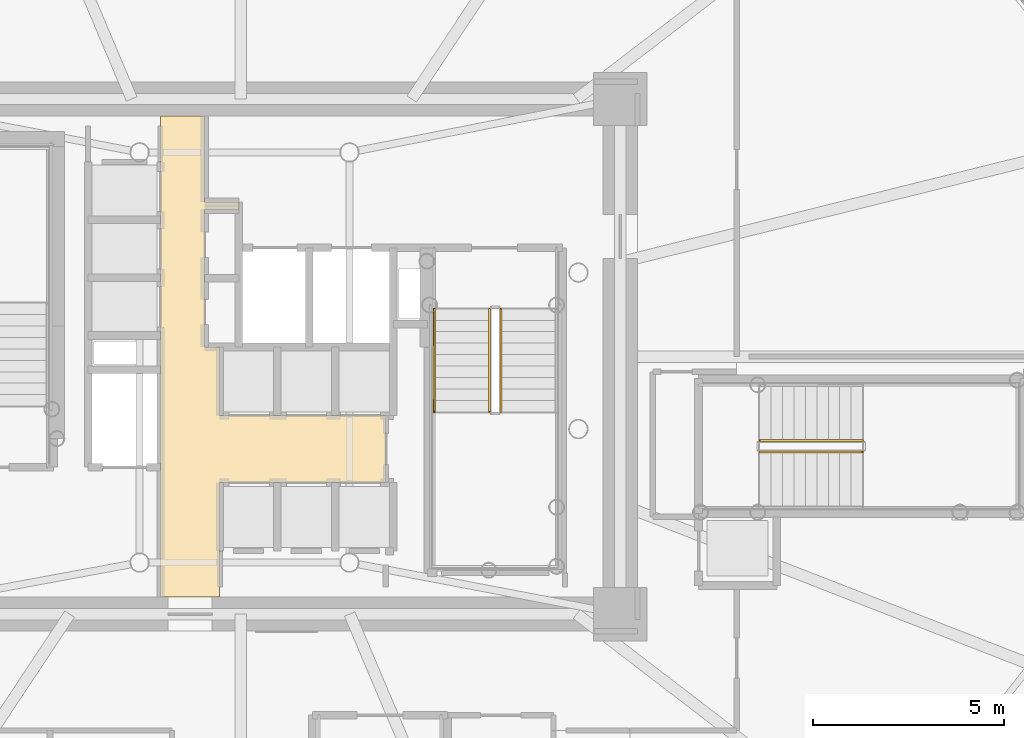
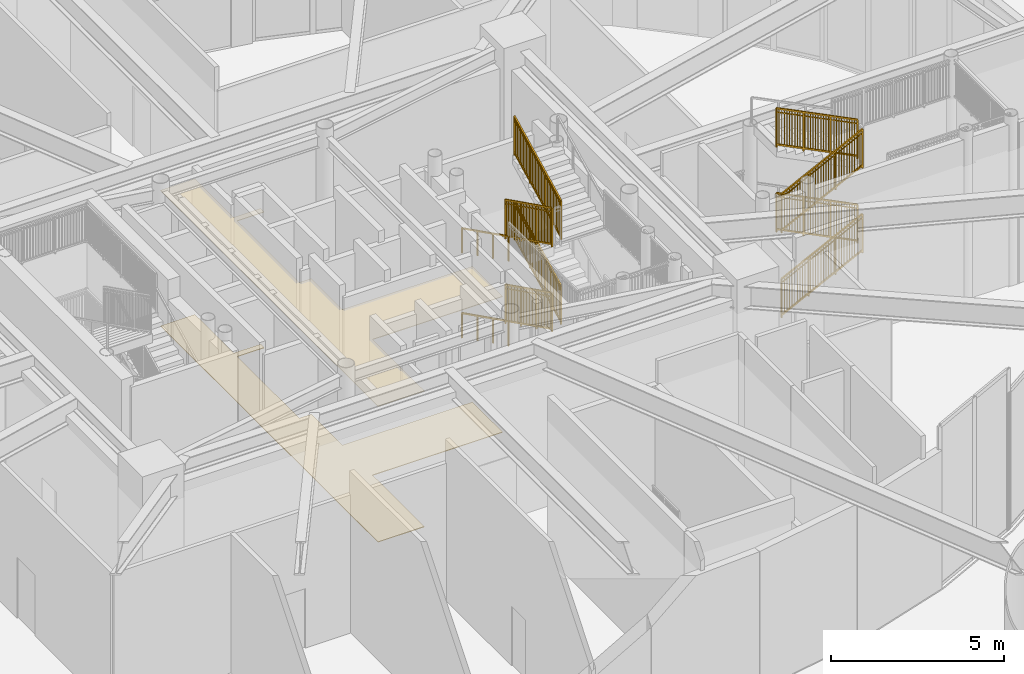
# One storey, part 42 of 46: 10 railings, 2 coverings.
"""IFC4 building model written with IfcOpenShell, lengths in metres."""

import ifcopenshell
import ifcopenshell.guid

model = None  # the IFC model being written
_history = None  # IfcOwnerHistory: only IFC2X3 demands one
_inside = {}  # id of a spatial element -> (the spatial element, [elements in it])
_under = {}  # id of a project, library or spatial element -> (it, [spatial elements below it])
_declared = {}  # id of a project -> (the project, [libraries it declares])
_typed = {}  # id of a type object -> (the type object, [elements of that type])
_made_of = {}  # id of a material, layer set ... -> (it, [elements and type objects made of it])


def new_model(schema):
    """Start an empty IFC model of exactly this schema.

    Asked for "IFC4X3", IfcOpenShell would pick the latest addendum, in which some entities
    have other attributes; the version numbers below select the first issue.
    IFC2X3 requires an IfcOwnerHistory on every rooted entity: one is made here for all.
    """
    global model, _history
    if schema == "IFC4X3":
        model = ifcopenshell.file(schema_version=(4, 3, 0, 0))
    else:
        model = ifcopenshell.file(schema=schema)
    _inside.clear()
    _under.clear()
    _declared.clear()
    _typed.clear()
    _made_of.clear()
    _history = None
    if model.schema == "IFC2X3":
        org = make("IfcOrganization", Name="unknown")
        user = make(
            "IfcPersonAndOrganization",
            ThePerson=make("IfcPerson", FamilyName="unknown"),
            TheOrganization=org,
        )
        app = make(
            "IfcApplication",
            ApplicationDeveloper=org,
            Version="unknown",
            ApplicationFullName="unknown",
            ApplicationIdentifier="unknown",
        )
        _history = make(
            "IfcOwnerHistory",
            OwningUser=user,
            OwningApplication=app,
            ChangeAction="ADDED",
            CreationDate=0,
        )
    return model


def make(cls, **values):
    """One entity of the class cls with the attributes given. An attribute that is None is left unset."""
    return model.create_entity(
        cls, **{name: value for name, value in values.items() if value is not None}
    )


def rooted(cls, **values):
    """An entity with a GlobalId (a new one), such as an element, a storey or a relation."""
    return make(cls, GlobalId=ifcopenshell.guid.new(), OwnerHistory=_history, **values)


def si_unit(unit_type, name, prefix=None):
    """IfcSIUnit, for example si_unit("LENGTHUNIT", "METRE", prefix="MILLI")."""
    return make("IfcSIUnit", UnitType=unit_type, Prefix=prefix, Name=name)


def assignment(units):
    """IfcUnitAssignment: the units of a project."""
    return None if units is None else make("IfcUnitAssignment", Units=units)


def point(xyz):
    """IfcCartesianPoint."""
    return None if xyz is None else make("IfcCartesianPoint", Coordinates=xyz)


def direction(xyz):
    """IfcDirection."""
    return None if xyz is None else make("IfcDirection", DirectionRatios=xyz)


def frame(location, z_axis=None, x_axis=None):
    """IfcAxis2Placement3D, a coordinate frame: its origin and axes. An axis left out is left unset."""
    return make(
        "IfcAxis2Placement3D",
        Location=point(location),
        Axis=direction(z_axis),
        RefDirection=direction(x_axis),
    )


def frame_2d(location, x_axis=None):
    """IfcAxis2Placement2D, a coordinate frame in the plane: its origin and x axis."""
    return make(
        "IfcAxis2Placement2D", Location=point(location), RefDirection=direction(x_axis)
    )


def origin():
    """The frame at (0, 0, 0) with its axes left unset."""
    return frame((0.0, 0.0, 0.0))


def origin_2d():
    """The frame at (0, 0) in the plane with its x axis left unset."""
    return frame_2d((0.0, 0.0))


def place(relative_to, where):
    """IfcLocalPlacement: puts the frame where relative to a parent placement (None: the world)."""
    return make(
        "IfcLocalPlacement", PlacementRelTo=relative_to, RelativePlacement=where
    )


def context(
    kind, dimensions, precision=None, world=None, true_north=None, identifier=None
):
    """IfcGeometricRepresentationContext, for example the 3D "Model" context."""
    return make(
        "IfcGeometricRepresentationContext",
        ContextIdentifier=identifier,
        ContextType=kind,
        CoordinateSpaceDimension=dimensions,
        Precision=precision,
        WorldCoordinateSystem=world,
        TrueNorth=true_north,
    )


def subcontext(parent, identifier, kind, view, scale=None):
    """IfcGeometricRepresentationSubContext, for example "Body" below "Model"."""
    return make(
        "IfcGeometricRepresentationSubContext",
        ContextIdentifier=identifier,
        ContextType=kind,
        ParentContext=parent,
        TargetScale=scale,
        TargetView=view,
    )


def project(units=None, contexts=None):
    """IfcProject with its units and contexts."""
    return rooted(
        "IfcProject",
        Name="project",
        RepresentationContexts=contexts,
        UnitsInContext=assignment(units),
    )


def spatial(cls, under=None, at=None, **own):
    """A site, building, storey or space (cls), placed at a placement, below another one or the project."""
    s = rooted(cls, ObjectPlacement=at, **own)
    if under is not None:
        _under.setdefault(under.id(), (under, []))[1].append(s)
    return s


def polyline(points):
    """IfcPolyline through the points."""
    return make("IfcPolyline", Points=[point(p) for p in points])


def profile(cls, at=None, kind="AREA", **sizes):
    """A parametric profile (cls). Its sizes go by their IFC names, for example OverallWidth=200.0."""
    return make(cls, ProfileType=kind, Position=at, **sizes)


def rectangle(**sizes):
    """IfcRectangleProfileDef."""
    return profile("IfcRectangleProfileDef", **sizes)


def outline(outer, holes=None, kind="AREA"):
    """IfcArbitraryClosedProfileDef: a profile drawn as a closed curve; with holes, ...WithVoids."""
    if holes is None:
        return make("IfcArbitraryClosedProfileDef", ProfileType=kind, OuterCurve=outer)
    return make(
        "IfcArbitraryProfileDefWithVoids",
        ProfileType=kind,
        OuterCurve=outer,
        InnerCurves=holes,
    )


def extrude(swept, where, along, depth):
    """IfcExtrudedAreaSolid: the profile swept, set in the frame where, extruded along a direction by depth."""
    return make(
        "IfcExtrudedAreaSolid",
        SweptArea=swept,
        Position=where,
        ExtrudedDirection=direction(along),
        Depth=depth,
    )


def shape(context_of_items, identifier, shape_type, items):
    """IfcShapeRepresentation: the items that make up one representation, for example the "Body"."""
    return make(
        "IfcShapeRepresentation",
        ContextOfItems=context_of_items,
        RepresentationIdentifier=identifier,
        RepresentationType=shape_type,
        Items=items,
    )


def source(mapping_origin, context_of_items, identifier, shape_type, items):
    """IfcRepresentationMap: a shape defined once, which mapped items show again and again."""
    return make(
        "IfcRepresentationMap",
        MappingOrigin=mapping_origin,
        MappedRepresentation=shape(context_of_items, identifier, shape_type, items),
    )


def transform(
    local_origin,
    x_axis=None,
    y_axis=None,
    z_axis=None,
    scale=None,
    scale2=None,
    scale3=None,
    uniform=True,
):
    """IfcCartesianTransformationOperator3D, or its non-uniform kind. x_axis, y_axis, z_axis: its Axis1, 2, 3."""
    if uniform:
        return make(
            "IfcCartesianTransformationOperator3D",
            Axis1=direction(x_axis),
            Axis2=direction(y_axis),
            LocalOrigin=point(local_origin),
            Scale=scale,
            Axis3=direction(z_axis),
        )
    return make(
        "IfcCartesianTransformationOperator3DnonUniform",
        Axis1=direction(x_axis),
        Axis2=direction(y_axis),
        LocalOrigin=point(local_origin),
        Scale=scale,
        Axis3=direction(z_axis),
        Scale2=scale2,
        Scale3=scale3,
    )


def mapped(mapping_source, mapping_target):
    """IfcMappedItem: shows the shape of a source again, moved by a transform."""
    return make(
        "IfcMappedItem", MappingSource=mapping_source, MappingTarget=mapping_target
    )


def material(Name=None, Category=None):
    """IfcMaterial."""
    return make("IfcMaterial", Name=Name, Category=Category)


def layer(
    of_material, thickness, ventilated=None, Name=None, Category=None, Priority=None
):
    """IfcMaterialLayer: one layer of a wall or slab, of a material (None: an air gap)."""
    return make(
        "IfcMaterialLayer",
        Material=of_material,
        LayerThickness=thickness,
        IsVentilated=ventilated,
        Name=Name,
        Category=Category,
        Priority=Priority,
    )


def layer_set(layers, Name=None):
    """IfcMaterialLayerSet."""
    return make("IfcMaterialLayerSet", MaterialLayers=layers, LayerSetName=Name)


def made_of(thing, what):
    """Note that an element or type object is made of a material, layer set ...; save() writes the relation."""
    if what is not None:
        _made_of.setdefault(what.id(), (what, []))[1].append(thing)
    return thing


def type_object(cls, material=None, **own):
    """A type object (cls), such as IfcWallType, which elements share."""
    return made_of(rooted(cls, **own), material)


def element(
    cls,
    number,
    at=None,
    inside=None,
    cuts=None,
    type_object=None,
    material=None,
    context=None,
    identifier="Body",
    shape_type=None,
    held_by="IfcProductDefinitionShape",
    body=None,
    shapes=None,
    **own,
):
    """One element of the class cls, such as IfcWall. Its Tag is "e" and its number.

    at: its placement. inside: the storey or other place that contains it. cuts: it is an
    opening in that element (IfcRelVoidsElement). A single representation is given by context,
    identifier, shape_type and body (its items); several are given by shapes. held_by: the class
    of the entity that holds the representations. save() writes the other relations.
    """
    e = rooted(cls, Tag="e%d" % number, ObjectPlacement=at, **own)
    if body is not None:
        shapes = [shape(context, identifier, shape_type, body)]
    if shapes is not None:
        e.Representation = make(held_by, Representations=shapes)
    if inside is not None:
        _inside.setdefault(inside.id(), (inside, []))[1].append(e)
    if cuts is not None:
        rooted(
            "IfcRelVoidsElement", RelatingBuildingElement=cuts, RelatedOpeningElement=e
        )
    if type_object is not None:
        _typed.setdefault(type_object.id(), (type_object, []))[1].append(e)
    return made_of(e, material)


def aggregate(whole, parts):
    """IfcRelAggregates: a whole, such as a stair, and the parts it consists of."""
    return rooted("IfcRelAggregates", RelatingObject=whole, RelatedObjects=parts)


def save(model, path):
    """Write the relations noted so far, then the file.

    IfcRelAggregates (storeys below a building ...), IfcRelContainedInSpatialStructure (elements
    in a storey), IfcRelDefinesByType, IfcRelAssociatesMaterial and IfcRelDeclares: one each for
    every whole, place, type object, material and project.
    """
    for whole, parts in _under.values():
        aggregate(whole, parts)
    for where, things in _inside.values():
        rooted(
            "IfcRelContainedInSpatialStructure",
            RelatedElements=things,
            RelatingStructure=where,
        )
    for kind, things in _typed.values():
        rooted("IfcRelDefinesByType", RelatedObjects=things, RelatingType=kind)
    for what, things in _made_of.values():
        rooted("IfcRelAssociatesMaterial", RelatedObjects=things, RelatingMaterial=what)
    for by, libraries in _declared.values():
        rooted("IfcRelDeclares", RelatingContext=by, RelatedDefinitions=libraries)
    model.write(path)


model = new_model("IFC4")

# Units and contexts
model_context = context("Model", 3, precision=1e-05, world=origin(), true_north=direction((0.0, 1.0)))
body_context = subcontext(model_context, "Body", "Model", "MODEL_VIEW")
ifc_project = project(units=[si_unit("LENGTHUNIT", "METRE"), si_unit("AREAUNIT", "SQUARE_METRE"), si_unit("VOLUMEUNIT", "CUBIC_METRE"), si_unit("PLANEANGLEUNIT", "RADIAN"), si_unit("MASSUNIT", "GRAM", prefix="KILO")], contexts=[model_context])

# Site, building, storey
site_placement = place(None, origin())
site = spatial("IfcSite", under=ifc_project, at=site_placement, CompositionType="ELEMENT")
building_placement = place(site_placement, origin())
building = spatial("IfcBuilding", under=site, at=building_placement, Name="Linh Dai School and Residence Tower", CompositionType="ELEMENT")
storey_placement = place(building_placement, origin())
storey = spatial("IfcBuildingStorey", under=building, at=storey_placement, Name="L00", CompositionType="ELEMENT", Elevation=0.0)

# Coverings
ifc_material_1 = material(Name="Mineral Fibre Acoustic Suspended Ceiling", Category="masonry")
ifc_layer_1 = layer(ifc_material_1, 0.02001953125)
ifc_layer_set_1 = layer_set([ifc_layer_1], Name="Mineral Fibre Acoustic Suspended Ceiling")
covering_type_1 = type_object("IfcCoveringType", Name="COV-CEIL-AC-20", PredefinedType="CEILING", material=ifc_layer_set_1)
covering_1_placement = place(storey_placement, frame((0.0, 0.0, 4.800048828125)))
element("IfcCovering", 1, at=covering_1_placement, inside=storey, type_object=covering_type_1, Name="L00 Passenger Lift Lobby Suspended Ceiling", PredefinedType="CEILING", context=body_context, shape_type="SweptSolid", body=[
    extrude(outline(polyline([(35.050048828125, 33.300048828125), (35.050048828125, 31.050048828125), (35.949951171875, 31.050048828125), (35.949951171875, 30.85009765625), (35.050048828125, 30.85009765625), (35.050048828125, 27.25), (35.449951171875, 27.25), (35.449951171875, 25.449951171875), (39.800048828125, 25.449951171875), (39.800048828125, 23.699951171875), (35.449951171875, 23.699951171875), (35.449951171875, 20.699951171875), (33.89990234375, 20.699951171875), (33.89990234375, 33.300048828125), (35.050048828125, 33.300048828125)])), origin(), (0.0, 0.0, 1.0), 0.02001953125),
])
ifc_material_2 = material(Name="Polished Terrazzo Floor Finish", Category="masonry")
ifc_layer_2 = layer(ifc_material_2, 0.02490234375)
ifc_layer_set_2 = layer_set([ifc_layer_2], Name="Polished Terrazzo Floor Finish")
covering_type_2 = type_object("IfcCoveringType", Name="COV-FLR-TRZ-25", PredefinedType="FLOORING", material=ifc_layer_set_2)
covering_2_placement = place(storey_placement, origin())
element("IfcCovering", 2, at=covering_2_placement, inside=storey, type_object=covering_type_2, Name="L00 Passenger Lift Lobby Floor Finish", PredefinedType="FLOORING", context=body_context, shape_type="SweptSolid", body=[
    extrude(outline(polyline([(35.050048828125, 33.300048828125), (35.050048828125, 31.050048828125), (35.949951171875, 31.050048828125), (35.949951171875, 30.85009765625), (35.050048828125, 30.85009765625), (35.050048828125, 27.25), (35.449951171875, 27.25), (35.449951171875, 25.449951171875), (39.800048828125, 25.449951171875), (39.800048828125, 23.699951171875), (35.449951171875, 23.699951171875), (35.449951171875, 20.699951171875), (33.89990234375, 20.699951171875), (33.89990234375, 33.300048828125), (35.050048828125, 33.300048828125)])), origin(), (0.0, 0.0, 1.0), 0.02001953125),
])

# Railings
ifc_material_3 = material(Name="Structural Steel S355JR", Category="steel")
railing_type_1 = type_object("IfcRailingType", Name="RL-ST-GUARD-1400", PredefinedType="GUARDRAIL", material=ifc_material_3)
shared_shape_1 = source(origin(), body_context, "Body", "SweptSolid", [
    extrude(rectangle(XDim=0.048095703125, YDim=0.048095703125, at=origin_2d()), frame((0.0, 0.0, 1.3759765625), z_axis=(0.0, 0.894411015155, 0.447245945728), x_axis=(-1.0, 0.0, 0.0)), (0.0, 0.0, 1.0), 3.018798828125),
    extrude(rectangle(XDim=0.048095703125, YDim=0.048095703125, at=origin_2d()), frame((0.0, 0.0, 0.10009765625), z_axis=(0.0, 0.894411015155, 0.447245945728), x_axis=(-1.0, 0.0, 0.0)), (0.0, 0.0, 1.0), 3.018798828125),
    extrude(rectangle(XDim=0.030029296875, YDim=0.030029296875, at=origin_2d()), frame((0.0, 0.0, 1.239990234375), z_axis=(0.0, 0.894411015155, 0.447245945728), x_axis=(-1.0, 0.0, 0.0)), (0.0, 0.0, 1.0), 3.018798828125),
    extrude(rectangle(XDim=0.02001953125, YDim=0.02001953125, at=origin_2d()), frame((0.0, 0.087158203125, 0.1435546875)), (0.0, 0.0, 1.0), 1.251708984375),
    extrude(rectangle(XDim=0.02001953125, YDim=0.02001953125, at=origin_2d()), frame((0.0, 0.174072265625, 0.187255859375)), (0.0, 0.0, 1.0), 1.251708984375),
    extrude(rectangle(XDim=0.02001953125, YDim=0.02001953125, at=origin_2d()), frame((0.0, 0.26123046875, 0.230712890625)), (0.0, 0.0, 1.0), 1.251708984375),
    extrude(rectangle(XDim=0.02001953125, YDim=0.02001953125, at=origin_2d()), frame((0.0, 0.348388671875, 0.2744140625)), (0.0, 0.0, 1.0), 1.251708984375),
    extrude(rectangle(XDim=0.02001953125, YDim=0.02001953125, at=origin_2d()), frame((0.0, 0.435546875, 0.31787109375)), (0.0, 0.0, 1.0), 1.251708984375),
    extrude(rectangle(XDim=0.02001953125, YDim=0.02001953125, at=origin_2d()), frame((0.0, 0.5224609375, 0.361328125)), (0.0, 0.0, 1.0), 1.251708984375),
    extrude(rectangle(XDim=0.02001953125, YDim=0.02001953125, at=origin_2d()), frame((0.0, 0.609619140625, 0.405029296875)), (0.0, 0.0, 1.0), 1.251708984375),
    extrude(rectangle(XDim=0.02001953125, YDim=0.02001953125, at=origin_2d()), frame((0.0, 0.69677734375, 0.448486328125)), (0.0, 0.0, 1.0), 1.251708984375),
    extrude(rectangle(XDim=0.02001953125, YDim=0.02001953125, at=origin_2d()), frame((0.0, 0.783935546875, 0.491943359375)), (0.0, 0.0, 1.0), 1.251708984375),
    extrude(rectangle(XDim=0.02001953125, YDim=0.02001953125, at=origin_2d()), frame((0.0, 0.9580078125, 0.5791015625)), (0.0, 0.0, 1.0), 1.251708984375),
    extrude(rectangle(XDim=0.02001953125, YDim=0.02001953125, at=origin_2d()), frame((0.0, 1.045166015625, 0.622802734375)), (0.0, 0.0, 1.0), 1.251708984375),
    extrude(rectangle(XDim=0.02001953125, YDim=0.02001953125, at=origin_2d()), frame((0.0, 1.13232421875, 0.666259765625)), (0.0, 0.0, 1.0), 1.251708984375),
    extrude(rectangle(XDim=0.02001953125, YDim=0.02001953125, at=origin_2d()), frame((0.0, 1.21923828125, 0.709716796875)), (0.0, 0.0, 1.0), 1.251708984375),
    extrude(rectangle(XDim=0.02001953125, YDim=0.02001953125, at=origin_2d()), frame((0.0, 1.306396484375, 0.75341796875)), (0.0, 0.0, 1.0), 1.251708984375),
    extrude(rectangle(XDim=0.02001953125, YDim=0.02001953125, at=origin_2d()), frame((0.0, 1.3935546875, 0.796875)), (0.0, 0.0, 1.0), 1.251708984375),
    extrude(rectangle(XDim=0.02001953125, YDim=0.02001953125, at=origin_2d()), frame((0.0, 1.480712890625, 0.840576171875)), (0.0, 0.0, 1.0), 1.251708984375),
    extrude(rectangle(XDim=0.02001953125, YDim=0.02001953125, at=origin_2d()), frame((0.0, 1.567626953125, 0.884033203125)), (0.0, 0.0, 1.0), 1.251708984375),
    extrude(rectangle(XDim=0.02001953125, YDim=0.02001953125, at=origin_2d()), frame((0.0, 1.65478515625, 0.927490234375)), (0.0, 0.0, 1.0), 1.251708984375),
    extrude(rectangle(XDim=0.02001953125, YDim=0.02001953125, at=origin_2d()), frame((0.0, 1.741943359375, 0.97119140625)), (0.0, 0.0, 1.0), 1.251708984375),
    extrude(rectangle(XDim=0.02001953125, YDim=0.02001953125, at=origin_2d()), frame((0.0, 1.916015625, 1.058349609375)), (0.0, 0.0, 1.0), 1.251708984375),
    extrude(rectangle(XDim=0.02001953125, YDim=0.02001953125, at=origin_2d()), frame((0.0, 2.003173828125, 1.101806640625)), (0.0, 0.0, 1.0), 1.251708984375),
    extrude(rectangle(XDim=0.02001953125, YDim=0.02001953125, at=origin_2d()), frame((0.0, 2.09033203125, 1.145263671875)), (0.0, 0.0, 1.0), 1.251708984375),
    extrude(rectangle(XDim=0.02001953125, YDim=0.02001953125, at=origin_2d()), frame((0.0, 2.177490234375, 1.18896484375)), (0.0, 0.0, 1.0), 1.251708984375),
    extrude(rectangle(XDim=0.02001953125, YDim=0.02001953125, at=origin_2d()), frame((0.0, 2.264404296875, 1.232421875)), (0.0, 0.0, 1.0), 1.251708984375),
    extrude(rectangle(XDim=0.02001953125, YDim=0.02001953125, at=origin_2d()), frame((0.0, 2.3515625, 1.27587890625)), (0.0, 0.0, 1.0), 1.251708984375),
    extrude(rectangle(XDim=0.02001953125, YDim=0.02001953125, at=origin_2d()), frame((0.0, 2.438720703125, 1.319580078125)), (0.0, 0.0, 1.0), 1.251708984375),
    extrude(rectangle(XDim=0.02001953125, YDim=0.02001953125, at=origin_2d()), frame((0.0, 2.52587890625, 1.363037109375)), (0.0, 0.0, 1.0), 1.251708984375),
    extrude(rectangle(XDim=0.02001953125, YDim=0.02001953125, at=origin_2d()), frame((0.0, 2.61279296875, 1.40673828125)), (0.0, 0.0, 1.0), 1.251708984375),
    extrude(rectangle(XDim=0.0419921875, YDim=0.0419921875, at=origin_2d()), origin(), (0.0, 0.0, 1.0), 1.3759765625),
    extrude(rectangle(XDim=0.0419921875, YDim=0.0419921875, at=origin_2d()), frame((0.0, 0.89990234375, 0.449951171875)), (0.0, 0.0, 1.0), 1.3759765625),
    extrude(rectangle(XDim=0.0419921875, YDim=0.0419921875, at=origin_2d()), frame((0.0, 1.800048828125, 0.900146484375)), (0.0, 0.0, 1.0), 1.3759765625),
    extrude(rectangle(XDim=0.0419921875, YDim=0.0419921875, at=origin_2d()), frame((0.0, 2.699951171875, 1.35009765625)), (0.0, 0.0, 1.0), 1.3759765625),
])
for number, where, name in (
    (3, (42.820068359375, 25.550048828125, 1.64990234375), "L00 ST2 stair guard 6"),
    (4, (42.820068359375, 25.550048828125, 4.64990234375), "L00 ST2 stair guard 15"),
):
    element("IfcRailing", number, at=place(storey_placement, frame(where)), inside=storey, type_object=railing_type_1, Name=name, PredefinedType="GUARDRAIL", context=body_context, shape_type="MappedRepresentation", body=[
        mapped(shared_shape_1, transform((0.0, 0.0, 0.0), x_axis=(1.0, 0.0, 0.0), y_axis=(0.0, 1.0, 0.0), z_axis=(0.0, 0.0, 1.0), scale=1.0)),
    ])
shared_shape_2 = source(origin(), body_context, "Body", "SweptSolid", [
    extrude(rectangle(XDim=0.048095703125, YDim=0.048095703125, at=origin_2d()), frame((0.0, 0.0, 1.3759765625), z_axis=(0.0, -0.894411015155, 0.447245945728), x_axis=(1.0, 0.0, 0.0)), (0.0, 0.0, 1.0), 3.018798828125),
    extrude(rectangle(XDim=0.048095703125, YDim=0.048095703125, at=origin_2d()), frame((0.0, 0.0, 0.10009765625), z_axis=(0.0, -0.894411015155, 0.447245945728), x_axis=(1.0, 0.0, 0.0)), (0.0, 0.0, 1.0), 3.018798828125),
    extrude(rectangle(XDim=0.030029296875, YDim=0.030029296875, at=origin_2d()), frame((0.0, 0.0, 1.239990234375), z_axis=(0.0, -0.894411015155, 0.447245945728), x_axis=(1.0, 0.0, 0.0)), (0.0, 0.0, 1.0), 3.018798828125),
    extrude(rectangle(XDim=0.02001953125, YDim=0.02001953125, at=origin_2d()), frame((0.0, -0.087158203125, 0.1435546875)), (0.0, 0.0, 1.0), 1.251708984375),
    extrude(rectangle(XDim=0.02001953125, YDim=0.02001953125, at=origin_2d()), frame((0.0, -0.174072265625, 0.187255859375)), (0.0, 0.0, 1.0), 1.251708984375),
    extrude(rectangle(XDim=0.02001953125, YDim=0.02001953125, at=origin_2d()), frame((0.0, -0.26123046875, 0.230712890625)), (0.0, 0.0, 1.0), 1.251708984375),
    extrude(rectangle(XDim=0.02001953125, YDim=0.02001953125, at=origin_2d()), frame((0.0, -0.348388671875, 0.2744140625)), (0.0, 0.0, 1.0), 1.251708984375),
    extrude(rectangle(XDim=0.02001953125, YDim=0.02001953125, at=origin_2d()), frame((0.0, -0.435546875, 0.31787109375)), (0.0, 0.0, 1.0), 1.251708984375),
    extrude(rectangle(XDim=0.02001953125, YDim=0.02001953125, at=origin_2d()), frame((0.0, -0.5224609375, 0.361328125)), (0.0, 0.0, 1.0), 1.251708984375),
    extrude(rectangle(XDim=0.02001953125, YDim=0.02001953125, at=origin_2d()), frame((0.0, -0.609619140625, 0.405029296875)), (0.0, 0.0, 1.0), 1.251708984375),
    extrude(rectangle(XDim=0.02001953125, YDim=0.02001953125, at=origin_2d()), frame((0.0, -0.69677734375, 0.448486328125)), (0.0, 0.0, 1.0), 1.251708984375),
    extrude(rectangle(XDim=0.02001953125, YDim=0.02001953125, at=origin_2d()), frame((0.0, -0.783935546875, 0.491943359375)), (0.0, 0.0, 1.0), 1.251708984375),
    extrude(rectangle(XDim=0.02001953125, YDim=0.02001953125, at=origin_2d()), frame((0.0, -0.9580078125, 0.5791015625)), (0.0, 0.0, 1.0), 1.251708984375),
    extrude(rectangle(XDim=0.02001953125, YDim=0.02001953125, at=origin_2d()), frame((0.0, -1.045166015625, 0.622802734375)), (0.0, 0.0, 1.0), 1.251708984375),
    extrude(rectangle(XDim=0.02001953125, YDim=0.02001953125, at=origin_2d()), frame((0.0, -1.13232421875, 0.666259765625)), (0.0, 0.0, 1.0), 1.251708984375),
    extrude(rectangle(XDim=0.02001953125, YDim=0.02001953125, at=origin_2d()), frame((0.0, -1.21923828125, 0.709716796875)), (0.0, 0.0, 1.0), 1.251708984375),
    extrude(rectangle(XDim=0.02001953125, YDim=0.02001953125, at=origin_2d()), frame((0.0, -1.306396484375, 0.75341796875)), (0.0, 0.0, 1.0), 1.251708984375),
    extrude(rectangle(XDim=0.02001953125, YDim=0.02001953125, at=origin_2d()), frame((0.0, -1.3935546875, 0.796875)), (0.0, 0.0, 1.0), 1.251708984375),
    extrude(rectangle(XDim=0.02001953125, YDim=0.02001953125, at=origin_2d()), frame((0.0, -1.480712890625, 0.840576171875)), (0.0, 0.0, 1.0), 1.251708984375),
    extrude(rectangle(XDim=0.02001953125, YDim=0.02001953125, at=origin_2d()), frame((0.0, -1.567626953125, 0.884033203125)), (0.0, 0.0, 1.0), 1.251708984375),
    extrude(rectangle(XDim=0.02001953125, YDim=0.02001953125, at=origin_2d()), frame((0.0, -1.65478515625, 0.927490234375)), (0.0, 0.0, 1.0), 1.251708984375),
    extrude(rectangle(XDim=0.02001953125, YDim=0.02001953125, at=origin_2d()), frame((0.0, -1.741943359375, 0.97119140625)), (0.0, 0.0, 1.0), 1.251708984375),
    extrude(rectangle(XDim=0.02001953125, YDim=0.02001953125, at=origin_2d()), frame((0.0, -1.916015625, 1.058349609375)), (0.0, 0.0, 1.0), 1.251708984375),
    extrude(rectangle(XDim=0.02001953125, YDim=0.02001953125, at=origin_2d()), frame((0.0, -2.003173828125, 1.101806640625)), (0.0, 0.0, 1.0), 1.251708984375),
    extrude(rectangle(XDim=0.02001953125, YDim=0.02001953125, at=origin_2d()), frame((0.0, -2.09033203125, 1.145263671875)), (0.0, 0.0, 1.0), 1.251708984375),
    extrude(rectangle(XDim=0.02001953125, YDim=0.02001953125, at=origin_2d()), frame((0.0, -2.177490234375, 1.18896484375)), (0.0, 0.0, 1.0), 1.251708984375),
    extrude(rectangle(XDim=0.02001953125, YDim=0.02001953125, at=origin_2d()), frame((0.0, -2.264404296875, 1.232421875)), (0.0, 0.0, 1.0), 1.251708984375),
    extrude(rectangle(XDim=0.02001953125, YDim=0.02001953125, at=origin_2d()), frame((0.0, -2.3515625, 1.27587890625)), (0.0, 0.0, 1.0), 1.251708984375),
    extrude(rectangle(XDim=0.02001953125, YDim=0.02001953125, at=origin_2d()), frame((0.0, -2.438720703125, 1.319580078125)), (0.0, 0.0, 1.0), 1.251708984375),
    extrude(rectangle(XDim=0.02001953125, YDim=0.02001953125, at=origin_2d()), frame((0.0, -2.52587890625, 1.363037109375)), (0.0, 0.0, 1.0), 1.251708984375),
    extrude(rectangle(XDim=0.02001953125, YDim=0.02001953125, at=origin_2d()), frame((0.0, -2.61279296875, 1.40673828125)), (0.0, 0.0, 1.0), 1.251708984375),
    extrude(rectangle(XDim=0.0419921875, YDim=0.0419921875, at=origin_2d()), origin(), (0.0, 0.0, 1.0), 1.3759765625),
    extrude(rectangle(XDim=0.0419921875, YDim=0.0419921875, at=origin_2d()), frame((0.0, -0.89990234375, 0.449951171875)), (0.0, 0.0, 1.0), 1.3759765625),
    extrude(rectangle(XDim=0.0419921875, YDim=0.0419921875, at=origin_2d()), frame((0.0, -1.800048828125, 0.900146484375)), (0.0, 0.0, 1.0), 1.3759765625),
    extrude(rectangle(XDim=0.0419921875, YDim=0.0419921875, at=origin_2d()), frame((0.0, -2.699951171875, 1.35009765625)), (0.0, 0.0, 1.0), 1.3759765625),
])
for number, where, name in (
    (5, (42.52001953125, 28.25, 0.14990234375), "L00 ST2 stair guard 1"),
    (6, (42.52001953125, 28.25, 3.14990234375), "L00 ST2 stair guard 10"),
):
    element("IfcRailing", number, at=place(storey_placement, frame(where)), inside=storey, type_object=railing_type_1, Name=name, PredefinedType="GUARDRAIL", context=body_context, shape_type="MappedRepresentation", body=[
        mapped(shared_shape_2, transform((0.0, 0.0, 0.0), x_axis=(1.0, 0.0, 0.0), y_axis=(0.0, 1.0, 0.0), z_axis=(0.0, 0.0, 1.0), scale=1.0)),
    ])
ifc_material_4 = material(Name="Brushed Stainless Steel Handrail", Category="steel")
railing_type_2 = type_object("IfcRailingType", Name="RL-ST-HANDRAIL-900", PredefinedType="HANDRAIL", material=ifc_material_4)
shared_shape_3 = source(origin(), body_context, "Body", "SweptSolid", [
    extrude(rectangle(XDim=0.048095703125, YDim=0.048095703125, at=origin_2d()), frame((0.0, 0.0, 0.8759765625), z_axis=(0.0, -0.894411015155, 0.447245945728), x_axis=(1.0, 0.0, 0.0)), (0.0, 0.0, 1.0), 3.018798828125),
    extrude(rectangle(XDim=0.0419921875, YDim=0.0419921875, at=origin_2d()), origin(), (0.0, 0.0, 1.0), 0.8759765625),
    extrude(rectangle(XDim=0.0419921875, YDim=0.0419921875, at=origin_2d()), frame((0.0, -0.89990234375, 0.449951171875)), (0.0, 0.0, 1.0), 0.8759765625),
    extrude(rectangle(XDim=0.0419921875, YDim=0.0419921875, at=origin_2d()), frame((0.0, -1.800048828125, 0.900146484375)), (0.0, 0.0, 1.0), 0.8759765625),
    extrude(rectangle(XDim=0.0419921875, YDim=0.0419921875, at=origin_2d()), frame((0.0, -2.699951171875, 1.35009765625)), (0.0, 0.0, 1.0), 0.8759765625),
])
for number, where, name in (
    (7, (41.070068359375, 28.25, 0.14990234375), "L00 ST2 stair handrail 1"),
    (8, (41.070068359375, 28.25, 3.14990234375), "L00 ST2 stair handrail 3"),
):
    element("IfcRailing", number, at=place(storey_placement, frame(where)), inside=storey, type_object=railing_type_2, Name=name, PredefinedType="HANDRAIL", context=body_context, shape_type="MappedRepresentation", body=[
        mapped(shared_shape_3, transform((0.0, 0.0, 0.0), x_axis=(1.0, 0.0, 0.0), y_axis=(0.0, 1.0, 0.0), z_axis=(0.0, 0.0, 1.0), scale=1.0)),
    ])
shared_shape_4 = source(origin(), body_context, "Body", "SweptSolid", [
    extrude(rectangle(XDim=0.048095703125, YDim=0.048095703125, at=origin_2d()), frame((0.0, 0.0, 1.3759765625), z_axis=(-0.894411015155, 0.0, 0.447245945728), x_axis=(0.0, -1.0, 0.0)), (0.0, 0.0, 1.0), 3.018798828125),
    extrude(rectangle(XDim=0.048095703125, YDim=0.048095703125, at=origin_2d()), frame((0.0, 0.0, 0.10009765625), z_axis=(-0.894411015155, 0.0, 0.447245945728), x_axis=(0.0, -1.0, 0.0)), (0.0, 0.0, 1.0), 3.018798828125),
    extrude(rectangle(XDim=0.030029296875, YDim=0.030029296875, at=origin_2d()), frame((0.0, 0.0, 1.239990234375), z_axis=(-0.894411015155, 0.0, 0.447245945728), x_axis=(0.0, -1.0, 0.0)), (0.0, 0.0, 1.0), 3.018798828125),
    extrude(rectangle(XDim=0.02001953125, YDim=0.02001953125, at=origin_2d()), frame((-0.087158203125, 0.0, 0.1435546875)), (0.0, 0.0, 1.0), 1.251708984375),
    extrude(rectangle(XDim=0.02001953125, YDim=0.02001953125, at=origin_2d()), frame((-0.174072265625, 0.0, 0.187255859375)), (0.0, 0.0, 1.0), 1.251708984375),
    extrude(rectangle(XDim=0.02001953125, YDim=0.02001953125, at=origin_2d()), frame((-0.26123046875, 0.0, 0.230712890625)), (0.0, 0.0, 1.0), 1.251708984375),
    extrude(rectangle(XDim=0.02001953125, YDim=0.02001953125, at=origin_2d()), frame((-0.348388671875, 0.0, 0.2744140625)), (0.0, 0.0, 1.0), 1.251708984375),
    extrude(rectangle(XDim=0.02001953125, YDim=0.02001953125, at=origin_2d()), frame((-0.435546875, 0.0, 0.31787109375)), (0.0, 0.0, 1.0), 1.251708984375),
    extrude(rectangle(XDim=0.02001953125, YDim=0.02001953125, at=origin_2d()), frame((-0.5224609375, 0.0, 0.361328125)), (0.0, 0.0, 1.0), 1.251708984375),
    extrude(rectangle(XDim=0.02001953125, YDim=0.02001953125, at=origin_2d()), frame((-0.609619140625, 0.0, 0.405029296875)), (0.0, 0.0, 1.0), 1.251708984375),
    extrude(rectangle(XDim=0.02001953125, YDim=0.02001953125, at=origin_2d()), frame((-0.69677734375, 0.0, 0.448486328125)), (0.0, 0.0, 1.0), 1.251708984375),
    extrude(rectangle(XDim=0.02001953125, YDim=0.02001953125, at=origin_2d()), frame((-0.783935546875, 0.0, 0.491943359375)), (0.0, 0.0, 1.0), 1.251708984375),
    extrude(rectangle(XDim=0.02001953125, YDim=0.02001953125, at=origin_2d()), frame((-0.9580078125, 0.0, 0.5791015625)), (0.0, 0.0, 1.0), 1.251708984375),
    extrude(rectangle(XDim=0.02001953125, YDim=0.02001953125, at=origin_2d()), frame((-1.045166015625, 0.0, 0.622802734375)), (0.0, 0.0, 1.0), 1.251708984375),
    extrude(rectangle(XDim=0.02001953125, YDim=0.02001953125, at=origin_2d()), frame((-1.13232421875, 0.0, 0.666259765625)), (0.0, 0.0, 1.0), 1.251708984375),
    extrude(rectangle(XDim=0.02001953125, YDim=0.02001953125, at=origin_2d()), frame((-1.21923828125, 0.0, 0.709716796875)), (0.0, 0.0, 1.0), 1.251708984375),
    extrude(rectangle(XDim=0.02001953125, YDim=0.02001953125, at=origin_2d()), frame((-1.306396484375, 0.0, 0.75341796875)), (0.0, 0.0, 1.0), 1.251708984375),
    extrude(rectangle(XDim=0.02001953125, YDim=0.02001953125, at=origin_2d()), frame((-1.3935546875, 0.0, 0.796875)), (0.0, 0.0, 1.0), 1.251708984375),
    extrude(rectangle(XDim=0.02001953125, YDim=0.02001953125, at=origin_2d()), frame((-1.480712890625, 0.0, 0.840576171875)), (0.0, 0.0, 1.0), 1.251708984375),
    extrude(rectangle(XDim=0.02001953125, YDim=0.02001953125, at=origin_2d()), frame((-1.567626953125, 0.0, 0.884033203125)), (0.0, 0.0, 1.0), 1.251708984375),
    extrude(rectangle(XDim=0.02001953125, YDim=0.02001953125, at=origin_2d()), frame((-1.65478515625, 0.0, 0.927490234375)), (0.0, 0.0, 1.0), 1.251708984375),
    extrude(rectangle(XDim=0.02001953125, YDim=0.02001953125, at=origin_2d()), frame((-1.741943359375, 0.0, 0.97119140625)), (0.0, 0.0, 1.0), 1.251708984375),
    extrude(rectangle(XDim=0.02001953125, YDim=0.02001953125, at=origin_2d()), frame((-1.916015625, 0.0, 1.058349609375)), (0.0, 0.0, 1.0), 1.251708984375),
    extrude(rectangle(XDim=0.02001953125, YDim=0.02001953125, at=origin_2d()), frame((-2.003173828125, 0.0, 1.101806640625)), (0.0, 0.0, 1.0), 1.251708984375),
    extrude(rectangle(XDim=0.02001953125, YDim=0.02001953125, at=origin_2d()), frame((-2.09033203125, 0.0, 1.145263671875)), (0.0, 0.0, 1.0), 1.251708984375),
    extrude(rectangle(XDim=0.02001953125, YDim=0.02001953125, at=origin_2d()), frame((-2.177490234375, 0.0, 1.18896484375)), (0.0, 0.0, 1.0), 1.251708984375),
    extrude(rectangle(XDim=0.02001953125, YDim=0.02001953125, at=origin_2d()), frame((-2.264404296875, 0.0, 1.232421875)), (0.0, 0.0, 1.0), 1.251708984375),
    extrude(rectangle(XDim=0.02001953125, YDim=0.02001953125, at=origin_2d()), frame((-2.3515625, 0.0, 1.27587890625)), (0.0, 0.0, 1.0), 1.251708984375),
    extrude(rectangle(XDim=0.02001953125, YDim=0.02001953125, at=origin_2d()), frame((-2.438720703125, 0.0, 1.319580078125)), (0.0, 0.0, 1.0), 1.251708984375),
    extrude(rectangle(XDim=0.02001953125, YDim=0.02001953125, at=origin_2d()), frame((-2.52587890625, 0.0, 1.363037109375)), (0.0, 0.0, 1.0), 1.251708984375),
    extrude(rectangle(XDim=0.02001953125, YDim=0.02001953125, at=origin_2d()), frame((-2.61279296875, 0.0, 1.40673828125)), (0.0, 0.0, 1.0), 1.251708984375),
    extrude(rectangle(XDim=0.0419921875, YDim=0.0419921875, at=origin_2d()), origin(), (0.0, 0.0, 1.0), 1.3759765625),
    extrude(rectangle(XDim=0.0419921875, YDim=0.0419921875, at=origin_2d()), frame((-0.89990234375, 0.0, 0.449951171875)), (0.0, 0.0, 1.0), 1.3759765625),
    extrude(rectangle(XDim=0.0419921875, YDim=0.0419921875, at=origin_2d()), frame((-1.800048828125, 0.0, 0.900146484375)), (0.0, 0.0, 1.0), 1.3759765625),
    extrude(rectangle(XDim=0.0419921875, YDim=0.0419921875, at=origin_2d()), frame((-2.699951171875, 0.0, 1.35009765625)), (0.0, 0.0, 1.0), 1.3759765625),
])
for number, where, name in (
    (9, (52.300048828125, 24.800048828125, 1.64990234375), "L00 STS2 stair guard 6"),
    (10, (52.300048828125, 24.800048828125, 4.64990234375), "L00 STS2 stair guard 15"),
):
    element("IfcRailing", number, at=place(storey_placement, frame(where)), inside=storey, type_object=railing_type_1, Name=name, PredefinedType="GUARDRAIL", context=body_context, shape_type="MappedRepresentation", body=[
        mapped(shared_shape_4, transform((0.0, 0.0, 0.0), x_axis=(1.0, 0.0, 0.0), y_axis=(0.0, 1.0, 0.0), z_axis=(0.0, 0.0, 1.0), scale=1.0)),
    ])
shared_shape_5 = source(origin(), body_context, "Body", "SweptSolid", [
    extrude(rectangle(XDim=0.048095703125, YDim=0.048095703125, at=origin_2d()), frame((0.0, 0.0, 1.3759765625), z_axis=(0.894411015155, 0.0, 0.447245945728), x_axis=(0.0, 1.0, 0.0)), (0.0, 0.0, 1.0), 3.018798828125),
    extrude(rectangle(XDim=0.048095703125, YDim=0.048095703125, at=origin_2d()), frame((0.0, 0.0, 0.10009765625), z_axis=(0.894411015155, 0.0, 0.447245945728), x_axis=(0.0, 1.0, 0.0)), (0.0, 0.0, 1.0), 3.018798828125),
    extrude(rectangle(XDim=0.030029296875, YDim=0.030029296875, at=origin_2d()), frame((0.0, 0.0, 1.239990234375), z_axis=(0.894411015155, 0.0, 0.447245945728), x_axis=(0.0, 1.0, 0.0)), (0.0, 0.0, 1.0), 3.018798828125),
    extrude(rectangle(XDim=0.02001953125, YDim=0.02001953125, at=origin_2d()), frame((0.087158203125, 0.0, 0.1435546875)), (0.0, 0.0, 1.0), 1.251708984375),
    extrude(rectangle(XDim=0.02001953125, YDim=0.02001953125, at=origin_2d()), frame((0.174072265625, 0.0, 0.187255859375)), (0.0, 0.0, 1.0), 1.251708984375),
    extrude(rectangle(XDim=0.02001953125, YDim=0.02001953125, at=origin_2d()), frame((0.26123046875, 0.0, 0.230712890625)), (0.0, 0.0, 1.0), 1.251708984375),
    extrude(rectangle(XDim=0.02001953125, YDim=0.02001953125, at=origin_2d()), frame((0.348388671875, 0.0, 0.2744140625)), (0.0, 0.0, 1.0), 1.251708984375),
    extrude(rectangle(XDim=0.02001953125, YDim=0.02001953125, at=origin_2d()), frame((0.435546875, 0.0, 0.31787109375)), (0.0, 0.0, 1.0), 1.251708984375),
    extrude(rectangle(XDim=0.02001953125, YDim=0.02001953125, at=origin_2d()), frame((0.5224609375, 0.0, 0.361328125)), (0.0, 0.0, 1.0), 1.251708984375),
    extrude(rectangle(XDim=0.02001953125, YDim=0.02001953125, at=origin_2d()), frame((0.609619140625, 0.0, 0.405029296875)), (0.0, 0.0, 1.0), 1.251708984375),
    extrude(rectangle(XDim=0.02001953125, YDim=0.02001953125, at=origin_2d()), frame((0.69677734375, 0.0, 0.448486328125)), (0.0, 0.0, 1.0), 1.251708984375),
    extrude(rectangle(XDim=0.02001953125, YDim=0.02001953125, at=origin_2d()), frame((0.783935546875, 0.0, 0.491943359375)), (0.0, 0.0, 1.0), 1.251708984375),
    extrude(rectangle(XDim=0.02001953125, YDim=0.02001953125, at=origin_2d()), frame((0.9580078125, 0.0, 0.5791015625)), (0.0, 0.0, 1.0), 1.251708984375),
    extrude(rectangle(XDim=0.02001953125, YDim=0.02001953125, at=origin_2d()), frame((1.045166015625, 0.0, 0.622802734375)), (0.0, 0.0, 1.0), 1.251708984375),
    extrude(rectangle(XDim=0.02001953125, YDim=0.02001953125, at=origin_2d()), frame((1.13232421875, 0.0, 0.666259765625)), (0.0, 0.0, 1.0), 1.251708984375),
    extrude(rectangle(XDim=0.02001953125, YDim=0.02001953125, at=origin_2d()), frame((1.21923828125, 0.0, 0.709716796875)), (0.0, 0.0, 1.0), 1.251708984375),
    extrude(rectangle(XDim=0.02001953125, YDim=0.02001953125, at=origin_2d()), frame((1.306396484375, 0.0, 0.75341796875)), (0.0, 0.0, 1.0), 1.251708984375),
    extrude(rectangle(XDim=0.02001953125, YDim=0.02001953125, at=origin_2d()), frame((1.3935546875, 0.0, 0.796875)), (0.0, 0.0, 1.0), 1.251708984375),
    extrude(rectangle(XDim=0.02001953125, YDim=0.02001953125, at=origin_2d()), frame((1.480712890625, 0.0, 0.840576171875)), (0.0, 0.0, 1.0), 1.251708984375),
    extrude(rectangle(XDim=0.02001953125, YDim=0.02001953125, at=origin_2d()), frame((1.567626953125, 0.0, 0.884033203125)), (0.0, 0.0, 1.0), 1.251708984375),
    extrude(rectangle(XDim=0.02001953125, YDim=0.02001953125, at=origin_2d()), frame((1.65478515625, 0.0, 0.927490234375)), (0.0, 0.0, 1.0), 1.251708984375),
    extrude(rectangle(XDim=0.02001953125, YDim=0.02001953125, at=origin_2d()), frame((1.741943359375, 0.0, 0.97119140625)), (0.0, 0.0, 1.0), 1.251708984375),
    extrude(rectangle(XDim=0.02001953125, YDim=0.02001953125, at=origin_2d()), frame((1.916015625, 0.0, 1.058349609375)), (0.0, 0.0, 1.0), 1.251708984375),
    extrude(rectangle(XDim=0.02001953125, YDim=0.02001953125, at=origin_2d()), frame((2.003173828125, 0.0, 1.101806640625)), (0.0, 0.0, 1.0), 1.251708984375),
    extrude(rectangle(XDim=0.02001953125, YDim=0.02001953125, at=origin_2d()), frame((2.09033203125, 0.0, 1.145263671875)), (0.0, 0.0, 1.0), 1.251708984375),
    extrude(rectangle(XDim=0.02001953125, YDim=0.02001953125, at=origin_2d()), frame((2.177490234375, 0.0, 1.18896484375)), (0.0, 0.0, 1.0), 1.251708984375),
    extrude(rectangle(XDim=0.02001953125, YDim=0.02001953125, at=origin_2d()), frame((2.264404296875, 0.0, 1.232421875)), (0.0, 0.0, 1.0), 1.251708984375),
    extrude(rectangle(XDim=0.02001953125, YDim=0.02001953125, at=origin_2d()), frame((2.3515625, 0.0, 1.27587890625)), (0.0, 0.0, 1.0), 1.251708984375),
    extrude(rectangle(XDim=0.02001953125, YDim=0.02001953125, at=origin_2d()), frame((2.438720703125, 0.0, 1.319580078125)), (0.0, 0.0, 1.0), 1.251708984375),
    extrude(rectangle(XDim=0.02001953125, YDim=0.02001953125, at=origin_2d()), frame((2.52587890625, 0.0, 1.363037109375)), (0.0, 0.0, 1.0), 1.251708984375),
    extrude(rectangle(XDim=0.02001953125, YDim=0.02001953125, at=origin_2d()), frame((2.61279296875, 0.0, 1.40673828125)), (0.0, 0.0, 1.0), 1.251708984375),
    extrude(rectangle(XDim=0.0419921875, YDim=0.0419921875, at=origin_2d()), origin(), (0.0, 0.0, 1.0), 1.3759765625),
    extrude(rectangle(XDim=0.0419921875, YDim=0.0419921875, at=origin_2d()), frame((0.89990234375, 0.0, 0.449951171875)), (0.0, 0.0, 1.0), 1.3759765625),
    extrude(rectangle(XDim=0.0419921875, YDim=0.0419921875, at=origin_2d()), frame((1.800048828125, 0.0, 0.900146484375)), (0.0, 0.0, 1.0), 1.3759765625),
    extrude(rectangle(XDim=0.0419921875, YDim=0.0419921875, at=origin_2d()), frame((2.699951171875, 0.0, 1.35009765625)), (0.0, 0.0, 1.0), 1.3759765625),
])
for number, where, name in (
    (11, (49.60009765625, 24.5, 0.14990234375), "L00 STS2 stair guard 1"),
    (12, (49.60009765625, 24.5, 3.14990234375), "L00 STS2 stair guard 10"),
):
    element("IfcRailing", number, at=place(storey_placement, frame(where)), inside=storey, type_object=railing_type_1, Name=name, PredefinedType="GUARDRAIL", context=body_context, shape_type="MappedRepresentation", body=[
        mapped(shared_shape_5, transform((0.0, 0.0, 0.0), x_axis=(1.0, 0.0, 0.0), y_axis=(0.0, 1.0, 0.0), z_axis=(0.0, 0.0, 1.0), scale=1.0)),
    ])

save(model, "model.ifc")
